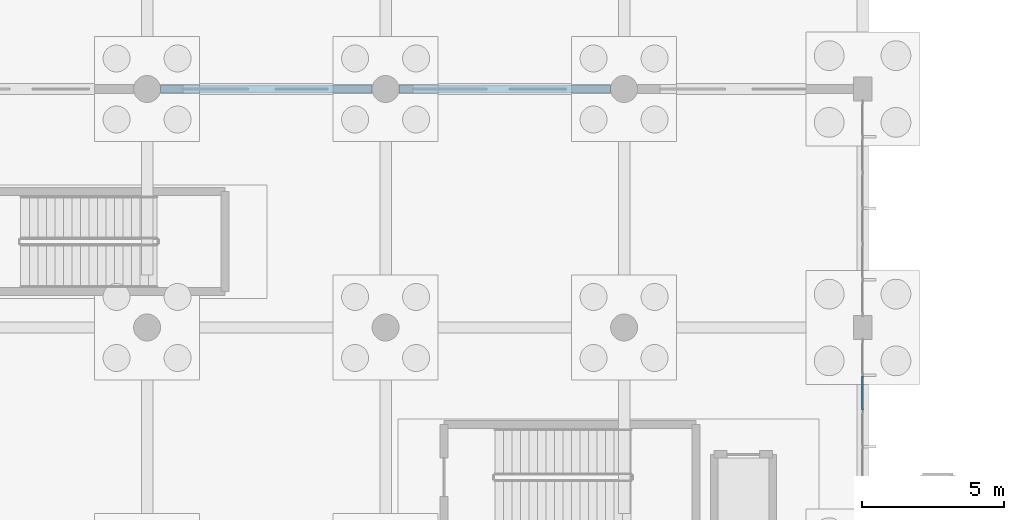
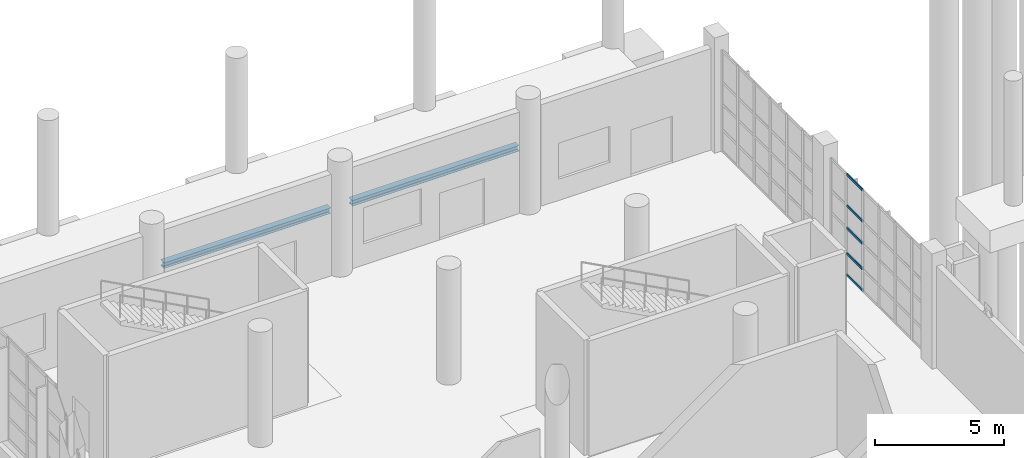
# One storey, part 32 of 83: 5 members, 2 beams, 1 element without a shape of its own.
"""IFC4 building model written with IfcOpenShell, lengths in metres."""

from ifc_helpers import new_model, si_unit, direction, frame, origin, origin_2d, place, context, subcontext, project, spatial, hollow_rectangle, i_section, extrude, material, layer, layer_set, material_profile, profile_set, type_object, element, aggregate, save


model = new_model("IFC4")

# Units and contexts
model_context = context("Model", 3, precision=1e-05, world=origin(), true_north=direction((0.0, 1.0)))
body_context = subcontext(model_context, "Body", "Model", "MODEL_VIEW")
ifc_project = project(units=[si_unit("LENGTHUNIT", "METRE"), si_unit("AREAUNIT", "SQUARE_METRE"), si_unit("VOLUMEUNIT", "CUBIC_METRE"), si_unit("PLANEANGLEUNIT", "RADIAN"), si_unit("MASSUNIT", "GRAM", prefix="KILO"), si_unit("THERMODYNAMICTEMPERATUREUNIT", "KELVIN"), si_unit("POWERUNIT", "WATT")], contexts=[model_context])

# Site, building, storey
site_placement = place(None, origin())
site = spatial("IfcSite", under=ifc_project, at=site_placement, CompositionType="ELEMENT")
building_placement = place(site_placement, origin())
building = spatial("IfcBuilding", under=site, at=building_placement, Name="Mavoryth Pier Ferry Terminal", CompositionType="ELEMENT")
storey_placement = place(building_placement, origin())
storey = spatial("IfcBuildingStorey", under=building, at=storey_placement, Name="L00", CompositionType="ELEMENT", Elevation=0.0)

# Beams
ifc_material_1 = material(Name="Steel S355J2", Category="steel")
ifc_material_profile_1 = material_profile(ifc_material_1, i_section(OverallWidth=0.280029296875, OverallDepth=0.27001953125, WebThickness=0.008056640625, FlangeThickness=0.012939453125, FilletRadius=0.02392578125, at=origin_2d()), Name="HEA 280", Category="steel")
ifc_profile_set_1 = profile_set([ifc_material_profile_1], Name="Steel S355J2 - HEA 280")
beam_type = type_object("IfcBeamType", Name="Lintel-Steel-HEA280", PredefinedType="LINTEL", material=ifc_profile_set_1)
beam_1_placement = place(storey_placement, frame((8.875, 106.0, 3.06494140625), z_axis=(1.0, 0.0, 0.0), x_axis=(0.0, 1.0, 0.0)))
element("IfcBeam", 1, at=beam_1_placement, inside=storey, type_object=beam_type, Name="Beam B00-LN03-1609", PredefinedType="LINTEL", context=body_context, shape_type="SweptSolid", body=[
    extrude(i_section(OverallWidth=0.280029296875, OverallDepth=0.27001953125, WebThickness=0.008056640625, FlangeThickness=0.012939453125, FilletRadius=0.02392578125, at=origin_2d()), origin(), (0.0, 0.0, 1.0), 7.449951171875),
])
beam_2_placement = place(storey_placement, frame((17.27490234375, 106.0, 3.06494140625), z_axis=(1.0, 0.0, 0.0), x_axis=(0.0, 1.0, 0.0)))
element("IfcBeam", 2, at=beam_2_placement, inside=storey, type_object=beam_type, Name="Beam B00-LN03-1610", PredefinedType="LINTEL", context=body_context, shape_type="SweptSolid", body=[
    extrude(i_section(OverallWidth=0.280029296875, OverallDepth=0.27001953125, WebThickness=0.008056640625, FlangeThickness=0.012939453125, FilletRadius=0.02392578125, at=origin_2d()), origin(), (0.0, 0.0, 1.0), 7.4501953125),
])

# Curtain wall, members
ifc_material_2 = material(Name="Anodised Aluminium and Solar-Control Low-E Glass", Category="aluminium")
ifc_layer = layer(ifc_material_2, 0.199951171875, Name="Anodised Aluminium and Solar-Control Low-E Glass", Category="aluminium")
ifc_layer_set = layer_set([ifc_layer], Name="Anodised Aluminium and Solar-Control Low-E Glass - CW-Concourse-Mod1200")
curtain_wall_type = type_object("IfcCurtainWallType", Name="CW-Concourse-Mod1200", PredefinedType="USERDEFINED", material=ifc_layer_set)
curtain_wall_placement = place(storey_placement, origin())
curtain_wall = element("IfcCurtainWall", 3, at=curtain_wall_placement, inside=storey, type_object=curtain_wall_type, Name="Curtain Wall CW-0022-026", ObjectType="UNITISED CURTAIN WALL", PredefinedType="USERDEFINED")
ifc_material_3 = material(Name="Anodised Aluminium EN AW-6063", Category="aluminium")
ifc_material_profile_2 = material_profile(ifc_material_3, hollow_rectangle(XDim=0.06005859375, YDim=0.125, WallThickness=0.00390625, InnerFilletRadius=0.00390625, OuterFilletRadius=0.008056640625, at=origin_2d()), Name="AL-TRAN 125x60x4", Category="aluminium")
ifc_profile_set_2 = profile_set([ifc_material_profile_2], Name="Anodised Aluminium EN AW-6063 - AL-TRAN 125x60x4")
member_type = type_object("IfcMemberType", Name="Transom-Alum-125x60", PredefinedType="USERDEFINED", material=ifc_profile_set_2)
member_1_placement = place(storey_placement, frame((33.60009765625, 94.688232421875, 0.030029296875), z_axis=(0.0, 1.0, 0.0), x_axis=(-1.0, 0.0, 0.0)))
member_1 = element("IfcMember", 4, at=member_1_placement, type_object=member_type, Name="CW02 transom 5.1", ObjectType="TRANSOM", PredefinedType="USERDEFINED", context=body_context, shape_type="SweptSolid", body=[
    extrude(hollow_rectangle(XDim=0.06005859375, YDim=0.125, WallThickness=0.00390625, InnerFilletRadius=0.00390625, OuterFilletRadius=0.008056640625, at=origin_2d()), origin(), (0.0, 0.0, 1.0), 1.198486328125),
])
member_2_placement = place(storey_placement, frame((33.60009765625, 94.688232421875, 1.050048828125), z_axis=(0.0, 1.0, 0.0), x_axis=(-1.0, 0.0, 0.0)))
member_2 = element("IfcMember", 5, at=member_2_placement, type_object=member_type, Name="CW02 transom 5.2", ObjectType="TRANSOM", PredefinedType="USERDEFINED", context=body_context, shape_type="SweptSolid", body=[
    extrude(hollow_rectangle(XDim=0.06005859375, YDim=0.125, WallThickness=0.00390625, InnerFilletRadius=0.00390625, OuterFilletRadius=0.008056640625, at=origin_2d()), origin(), (0.0, 0.0, 1.0), 1.198486328125),
])
member_3_placement = place(storey_placement, frame((33.60009765625, 94.688232421875, 2.25), z_axis=(0.0, 1.0, 0.0), x_axis=(-1.0, 0.0, 0.0)))
member_3 = element("IfcMember", 6, at=member_3_placement, type_object=member_type, Name="CW02 transom 5.3", ObjectType="TRANSOM", PredefinedType="USERDEFINED", context=body_context, shape_type="SweptSolid", body=[
    extrude(hollow_rectangle(XDim=0.06005859375, YDim=0.125, WallThickness=0.00390625, InnerFilletRadius=0.00390625, OuterFilletRadius=0.008056640625, at=origin_2d()), origin(), (0.0, 0.0, 1.0), 1.198486328125),
])
member_4_placement = place(storey_placement, frame((33.60009765625, 94.688232421875, 3.300048828125), z_axis=(0.0, 1.0, 0.0), x_axis=(-1.0, 0.0, 0.0)))
member_4 = element("IfcMember", 7, at=member_4_placement, type_object=member_type, Name="CW02 transom 5.4", ObjectType="TRANSOM", PredefinedType="USERDEFINED", context=body_context, shape_type="SweptSolid", body=[
    extrude(hollow_rectangle(XDim=0.06005859375, YDim=0.125, WallThickness=0.00390625, InnerFilletRadius=0.00390625, OuterFilletRadius=0.008056640625, at=origin_2d()), origin(), (0.0, 0.0, 1.0), 1.198486328125),
])
member_5_placement = place(storey_placement, frame((33.60009765625, 94.688232421875, 4.764892578125), z_axis=(0.0, 1.0, 0.0), x_axis=(-1.0, 0.0, 0.0)))
member_5 = element("IfcMember", 8, at=member_5_placement, type_object=member_type, Name="CW02 transom 5.5", ObjectType="TRANSOM", PredefinedType="USERDEFINED", context=body_context, shape_type="SweptSolid", body=[
    extrude(hollow_rectangle(XDim=0.06005859375, YDim=0.125, WallThickness=0.00390625, InnerFilletRadius=0.00390625, OuterFilletRadius=0.008056640625, at=origin_2d()), origin(), (0.0, 0.0, 1.0), 1.198486328125),
])
aggregate(curtain_wall, [member_1, member_2, member_3, member_4, member_5])

save(model, "model.ifc")
